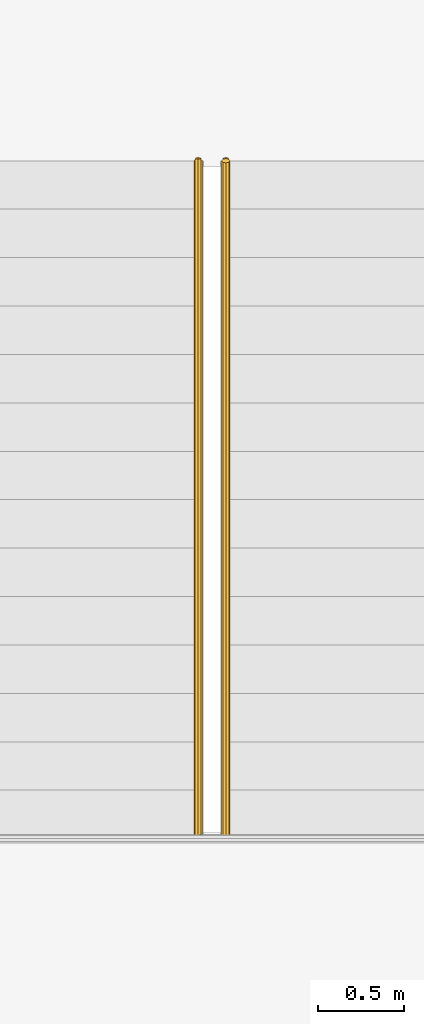
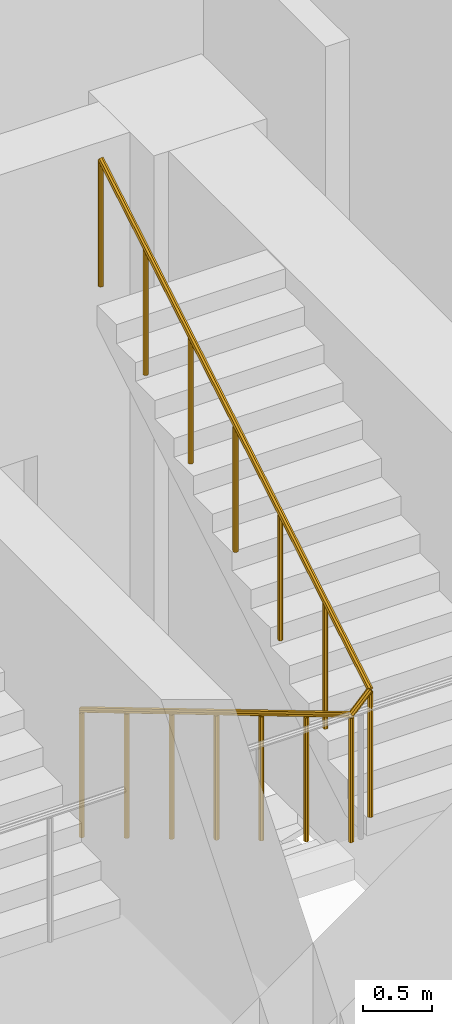
# One storey, part 29 of 29: 1 railing.
"""IFC4 building model written with IfcOpenShell, lengths in metres."""

from ifc_helpers import new_model, si_unit, direction, frame, origin, place, context, subcontext, project, spatial, polyline, outline, extrude, material, type_object, element, save


model = new_model("IFC4")

# Units and contexts
model_context = context("Model", 3, precision=1e-05, world=origin(), true_north=direction((0.0, 1.0)))
body_context = subcontext(model_context, "Body", "Model", "MODEL_VIEW")
ifc_project = project(units=[si_unit("LENGTHUNIT", "METRE"), si_unit("AREAUNIT", "SQUARE_METRE"), si_unit("VOLUMEUNIT", "CUBIC_METRE"), si_unit("PLANEANGLEUNIT", "RADIAN"), si_unit("MASSUNIT", "GRAM", prefix="KILO")], contexts=[model_context])

# Site, building, storey
site_placement = place(None, origin())
site = spatial("IfcSite", under=ifc_project, at=site_placement, CompositionType="ELEMENT")
building_placement = place(site_placement, origin())
building = spatial("IfcBuilding", under=site, at=building_placement, Name="Nuhasar Tower", CompositionType="ELEMENT")
storey_placement = place(building_placement, frame((0.0, 0.0, 113.25)))
storey = spatial("IfcBuildingStorey", under=building, at=storey_placement, Name="L26", CompositionType="ELEMENT", Elevation=113.25)

# Railing
ifc_material = material(Name="Steel S355", Category="steel")
railing_type = type_object("IfcRailingType", Name="RLG-STAIR-GUARD-1150", PredefinedType="GUARDRAIL", material=ifc_material)
railing_placement = place(storey_placement, frame((42.330078125, 35.284912109375, 0.1669921875)))
element("IfcRailing", 1, at=railing_placement, inside=storey, type_object=railing_type, Name="L26 Stair ST-02 Guardrail SLT", PredefinedType="GUARDRAIL", context=body_context, shape_type="SweptSolid", body=[
    extrude(outline(polyline([(0.024169921875, 0.0), (0.01708984375, 0.01708984375), (0.0, 0.024169921875), (-0.01708984375, 0.01708984375), (-0.024169921875, 0.0), (-0.01708984375, -0.01708984375), (0.0, -0.024169921875), (0.01708984375, -0.01708984375), (0.024169921875, 0.0)])), frame((0.0, 0.0, 1.1259765625), z_axis=(0.0, -0.85931976652, 0.511438695121), x_axis=(1.0, 0.0, 0.0)), (0.0, 0.0, 1.0), 4.561767578125),
    extrude(outline(polyline([(0.024169921875, 0.0), (0.01708984375, 0.01708984375), (0.0, 0.024169921875), (-0.01708984375, 0.01708984375), (-0.024169921875, 0.0), (-0.01708984375, -0.01708984375), (0.0, -0.024169921875), (0.01708984375, -0.01708984375), (0.024169921875, 0.0)])), frame((0.0, -3.919921875, 3.458984375), z_axis=(0.691630103864, 0.0, 0.722251894722), x_axis=(0.0, 1.0, 0.0)), (0.0, 0.0, 1.0), 0.231201171875),
    extrude(outline(polyline([(0.024169921875, 0.0), (0.01708984375, 0.01708984375), (0.0, 0.024169921875), (-0.01708984375, 0.01708984375), (-0.024169921875, 0.0), (-0.01708984375, -0.01708984375), (0.0, -0.024169921875), (0.01708984375, -0.01708984375), (0.024169921875, 0.0)])), frame((0.159912109375, -3.919921875, 3.6259765625), z_axis=(0.0, 0.85931976652, 0.511438695121), x_axis=(-1.0, 0.0, 0.0)), (0.0, 0.0, 1.0), 4.561767578125),
    extrude(outline(polyline([(0.02099609375, 0.0), (0.014892578125, 0.014892578125), (0.0, 0.02099609375), (-0.014892578125, 0.014892578125), (-0.02099609375, 0.0), (-0.014892578125, -0.014892578125), (0.0, -0.02099609375), (0.014892578125, -0.014892578125), (0.02099609375, 0.0)])), origin(), (0.0, 0.0, 1.0), 1.101806640625),
    extrude(outline(polyline([(0.02099609375, 0.0), (0.014892578125, 0.014892578125), (0.0, 0.02099609375), (-0.014892578125, 0.014892578125), (-0.02099609375, 0.0), (-0.014892578125, -0.014892578125), (0.0, -0.02099609375), (0.014892578125, -0.014892578125), (0.02099609375, 0.0)])), frame((0.0, -0.6533203125, 0.388916015625)), (0.0, 0.0, 1.0), 1.101806640625),
    extrude(outline(polyline([(0.02099609375, 0.0), (0.014892578125, 0.014892578125), (0.0, 0.02099609375), (-0.014892578125, 0.014892578125), (-0.02099609375, 0.0), (-0.014892578125, -0.014892578125), (0.0, -0.02099609375), (0.014892578125, -0.014892578125), (0.02099609375, 0.0)])), frame((0.0, -1.306640625, 0.777587890625)), (0.0, 0.0, 1.0), 1.101806640625),
    extrude(outline(polyline([(0.02099609375, 0.0), (0.014892578125, 0.014892578125), (0.0, 0.02099609375), (-0.014892578125, 0.014892578125), (-0.02099609375, 0.0), (-0.014892578125, -0.014892578125), (0.0, -0.02099609375), (0.014892578125, -0.014892578125), (0.02099609375, 0.0)])), frame((0.0, -1.9599609375, 1.16650390625)), (0.0, 0.0, 1.0), 1.101806640625),
    extrude(outline(polyline([(0.02099609375, 0.0), (0.014892578125, 0.014892578125), (0.0, 0.02099609375), (-0.014892578125, 0.014892578125), (-0.02099609375, 0.0), (-0.014892578125, -0.014892578125), (0.0, -0.02099609375), (0.014892578125, -0.014892578125), (0.02099609375, 0.0)])), frame((0.0, -2.61328125, 1.555419921875)), (0.0, 0.0, 1.0), 1.101806640625),
    extrude(outline(polyline([(0.02099609375, 0.0), (0.014892578125, 0.014892578125), (0.0, 0.02099609375), (-0.014892578125, 0.014892578125), (-0.02099609375, 0.0), (-0.014892578125, -0.014892578125), (0.0, -0.02099609375), (0.014892578125, -0.014892578125), (0.02099609375, 0.0)])), frame((0.0, -3.2666015625, 1.944091796875)), (0.0, 0.0, 1.0), 1.101806640625),
    extrude(outline(polyline([(0.02099609375, 0.0), (0.014892578125, 0.014892578125), (0.0, 0.02099609375), (-0.014892578125, 0.014892578125), (-0.02099609375, 0.0), (-0.014892578125, -0.014892578125), (0.0, -0.02099609375), (0.014892578125, -0.014892578125), (0.02099609375, 0.0)])), frame((0.0, -3.919921875, 2.3330078125)), (0.0, 0.0, 1.0), 1.101806640625),
    extrude(outline(polyline([(0.02099609375, 0.0), (0.014892578125, 0.014892578125), (0.0, 0.02099609375), (-0.014892578125, 0.014892578125), (-0.02099609375, 0.0), (-0.014892578125, -0.014892578125), (0.0, -0.02099609375), (0.014892578125, -0.014892578125), (0.02099609375, 0.0)])), frame((0.159912109375, -3.919921875, 2.5)), (0.0, 0.0, 1.0), 1.101806640625),
    extrude(outline(polyline([(0.02099609375, 0.0), (0.014892578125, 0.014892578125), (0.0, 0.02099609375), (-0.014892578125, 0.014892578125), (-0.02099609375, 0.0), (-0.014892578125, -0.014892578125), (0.0, -0.02099609375), (0.014892578125, -0.014892578125), (0.02099609375, 0.0)])), frame((0.159912109375, -3.2666015625, 2.888916015625)), (0.0, 0.0, 1.0), 1.101806640625),
    extrude(outline(polyline([(0.02099609375, 0.0), (0.014892578125, 0.014892578125), (0.0, 0.02099609375), (-0.014892578125, 0.014892578125), (-0.02099609375, 0.0), (-0.014892578125, -0.014892578125), (0.0, -0.02099609375), (0.014892578125, -0.014892578125), (0.02099609375, 0.0)])), frame((0.159912109375, -2.61328125, 3.277587890625)), (0.0, 0.0, 1.0), 1.101806640625),
    extrude(outline(polyline([(0.02099609375, 0.0), (0.014892578125, 0.014892578125), (0.0, 0.02099609375), (-0.014892578125, 0.014892578125), (-0.02099609375, 0.0), (-0.014892578125, -0.014892578125), (0.0, -0.02099609375), (0.014892578125, -0.014892578125), (0.02099609375, 0.0)])), frame((0.159912109375, -1.9599609375, 3.66650390625)), (0.0, 0.0, 1.0), 1.101806640625),
    extrude(outline(polyline([(0.02099609375, 0.0), (0.014892578125, 0.014892578125), (0.0, 0.02099609375), (-0.014892578125, 0.014892578125), (-0.02099609375, 0.0), (-0.014892578125, -0.014892578125), (0.0, -0.02099609375), (0.014892578125, -0.014892578125), (0.02099609375, 0.0)])), frame((0.159912109375, -1.306640625, 4.055419921875)), (0.0, 0.0, 1.0), 1.101806640625),
    extrude(outline(polyline([(0.02099609375, 0.0), (0.014892578125, 0.014892578125), (0.0, 0.02099609375), (-0.014892578125, 0.014892578125), (-0.02099609375, 0.0), (-0.014892578125, -0.014892578125), (0.0, -0.02099609375), (0.014892578125, -0.014892578125), (0.02099609375, 0.0)])), frame((0.159912109375, -0.6533203125, 4.444091796875)), (0.0, 0.0, 1.0), 1.101806640625),
    extrude(outline(polyline([(0.02099609375, 0.0), (0.014892578125, 0.014892578125), (0.0, 0.02099609375), (-0.014892578125, 0.014892578125), (-0.02099609375, 0.0), (-0.014892578125, -0.014892578125), (0.0, -0.02099609375), (0.014892578125, -0.014892578125), (0.02099609375, 0.0)])), frame((0.159912109375, 0.0, 4.8330078125)), (0.0, 0.0, 1.0), 1.101806640625),
])

save(model, "model.ifc")
